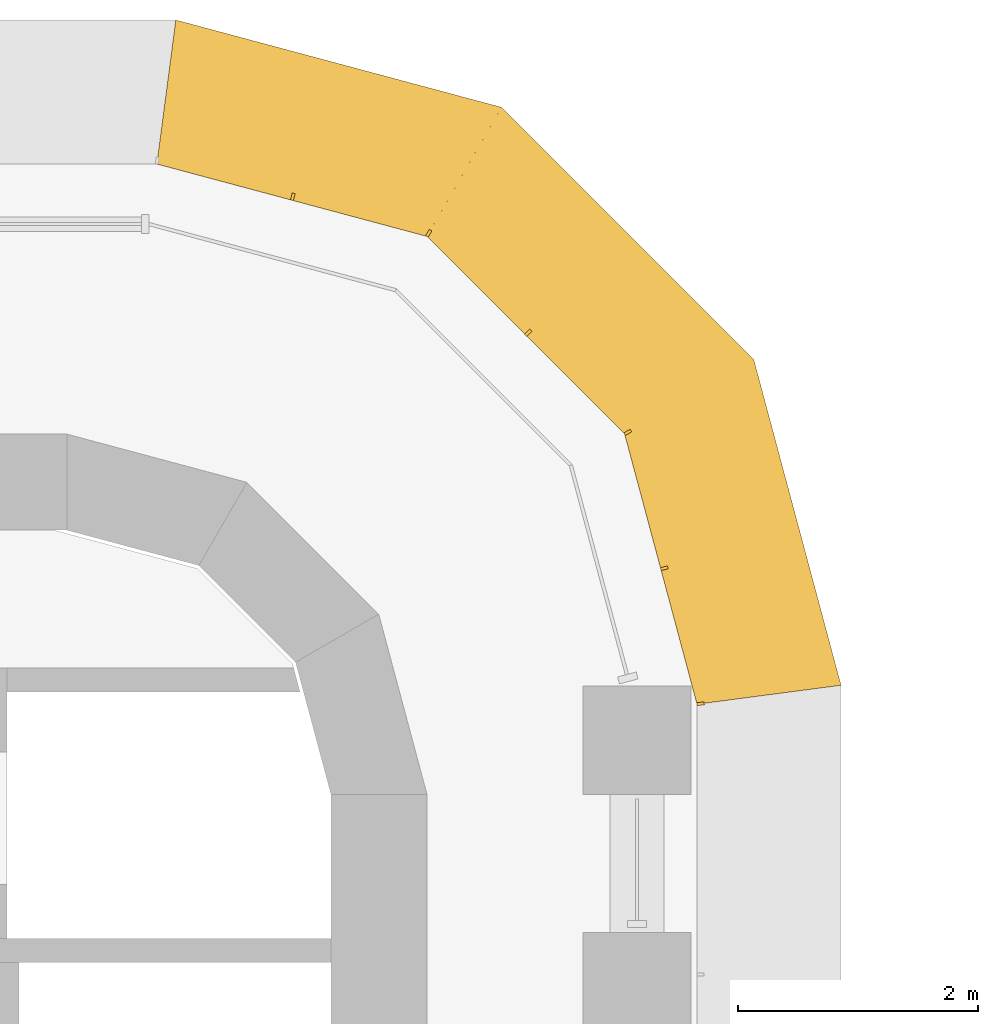
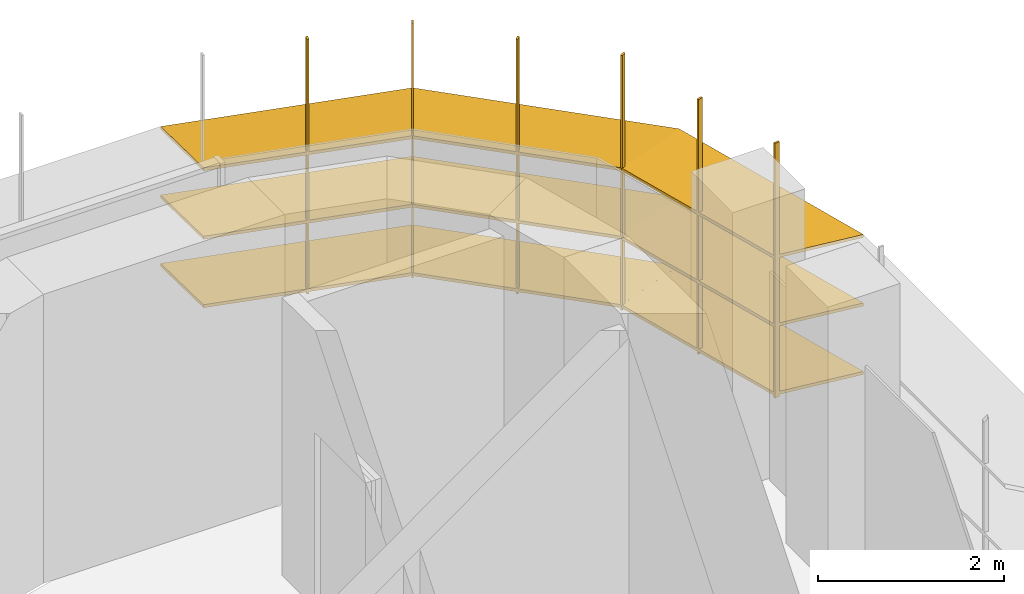
# One storey, part 22 of 22: 1 shading device.
"""IFC4 building model written with IfcOpenShell, lengths in metres."""

from ifc_helpers import new_model, si_unit, direction, frame, origin, place, context, subcontext, project, spatial, polyline, outline, extrude, faceted_brep, source, transform, mapped, material, type_object, element, save


model = new_model("IFC4")

# Units and contexts
model_context = context("Model", 3, precision=1e-05, world=origin(), true_north=direction((0.0, 1.0)))
body_context = subcontext(model_context, "Body", "Model", "MODEL_VIEW")
ifc_project = project(units=[si_unit("LENGTHUNIT", "METRE"), si_unit("AREAUNIT", "SQUARE_METRE"), si_unit("VOLUMEUNIT", "CUBIC_METRE"), si_unit("PLANEANGLEUNIT", "RADIAN"), si_unit("MASSUNIT", "GRAM", prefix="KILO")], contexts=[model_context])

# Site, building, storey
site_placement = place(None, origin())
site = spatial("IfcSite", under=ifc_project, at=site_placement, CompositionType="ELEMENT")
building_placement = place(site_placement, origin())
building = spatial("IfcBuilding", under=site, at=building_placement, Name="Zarbagh Exchange Tower", CompositionType="ELEMENT")
storey_placement = place(building_placement, frame((0.0, 0.0, 101.800048828125)))
storey = spatial("IfcBuildingStorey", under=building, at=storey_placement, Name="L23", CompositionType="ELEMENT", Elevation=101.800048828125)

# Shading device
ifc_material = material(Name="Anodised aluminium blades and brackets", Category="aluminium")
shading_device_type = type_object("IfcShadingDeviceType", Name="SUNSHADE louvre band, 11.25 degree blades", PredefinedType="JALOUSIE", material=ifc_material)
shared_shape_1 = source(origin(), body_context, "Body", "Brep", [
    faceted_brep([(0.0, 0.0, 0.0), (0.0, 0.0, -0.040771484375), (-0.157958984375, -1.199951171875, -0.279541015625), (-0.157958984375, -1.199951171875, -0.23876953125), (2.65087890625, -1.199951171875, -0.23876953125), (2.65087890625, -1.199951171875, -0.279541015625), (2.329345703125, 0.0, -0.040771484375), (2.329345703125, 0.0, 0.0)], [[[0, 1, 2, 3]], [[4, 5, 6, 7]], [[0, 7, 6, 1]], [[1, 6, 5, 2]], [[2, 5, 4, 3]], [[3, 4, 7, 0]]]),
])
shared_shape_2 = source(origin(), body_context, "Body", "Brep", [
    faceted_brep([(0.0, 0.0, 0.0), (0.0, 0.0, -0.040771484375), (-0.321533203125, -1.199951171875, -0.279541015625), (-0.321533203125, -1.199951171875, -0.23876953125), (2.65087890625, -1.199951171875, -0.23876953125), (2.65087890625, -1.199951171875, -0.279541015625), (2.329345703125, 0.0, -0.040771484375), (2.329345703125, 0.0, 0.0)], [[[0, 1, 2, 3]], [[4, 5, 6, 7]], [[0, 7, 6, 1]], [[1, 6, 5, 2]], [[2, 5, 4, 3]], [[3, 4, 7, 0]]]),
])
shared_shape_3 = source(origin(), body_context, "Body", "Brep", [
    faceted_brep([(0.0, 0.0, 0.0), (0.0, 0.0, -0.040771484375), (-0.321533203125, -1.199951171875, -0.279541015625), (-0.321533203125, -1.199951171875, -0.23876953125), (2.4873046875, -1.199951171875, -0.23876953125), (2.4873046875, -1.199951171875, -0.279541015625), (2.329345703125, 0.0, -0.040771484375), (2.329345703125, 0.0, 0.0)], [[[0, 1, 2, 3]], [[4, 5, 6, 7]], [[0, 7, 6, 1]], [[1, 6, 5, 2]], [[2, 5, 4, 3]], [[3, 4, 7, 0]]]),
])
shared_shape_4 = source(origin(), body_context, "Body", "SweptSolid", [
    extrude(outline(polyline([(0.0, -0.012451171875), (0.06005859375, -0.012451171875), (0.06005859375, 0.012451171875), (0.0, 0.012451171875), (0.0, -0.012451171875)])), origin(), (0.0, 0.0, 1.0), 3.350830078125),
])
shading_device_placement = place(storey_placement, origin())
element("IfcShadingDevice", 1, at=shading_device_placement, inside=storey, type_object=shading_device_type, Name="SS26 sunshade band", PredefinedType="JALOUSIE", context=body_context, shape_type="MappedRepresentation", body=[
    mapped(shared_shape_1, transform((6.75, 27.0, 2.300048828125), x_axis=(-0.258824779902, 0.965924289636, 0.0), y_axis=(-0.965924289636, -0.258824779902, 0.0), z_axis=(0.0, 0.0, 1.0))),
    mapped(shared_shape_1, transform((6.75, 27.0, 1.39990234375), x_axis=(-0.258824779902, 0.965924289636, 0.0), y_axis=(-0.965924289636, -0.258824779902, 0.0), z_axis=(0.0, 0.0, 1.0))),
    mapped(shared_shape_1, transform((6.75, 27.0, 0.5), x_axis=(-0.258824779902, 0.965924289636, 0.0), y_axis=(-0.965924289636, -0.258824779902, 0.0), z_axis=(0.0, 0.0, 1.0))),
    mapped(shared_shape_2, transform((6.147216796875, 29.25, 2.300048828125), x_axis=(-0.707106781187, 0.707106781187, 0.0), y_axis=(-0.707106781187, -0.707106781187, 0.0), z_axis=(0.0, 0.0, 1.0))),
    mapped(shared_shape_2, transform((6.147216796875, 29.25, 1.39990234375), x_axis=(-0.707106781187, 0.707106781187, 0.0), y_axis=(-0.707106781187, -0.707106781187, 0.0), z_axis=(0.0, 0.0, 1.0))),
    mapped(shared_shape_2, transform((6.147216796875, 29.25, 0.5), x_axis=(-0.707106781187, 0.707106781187, 0.0), y_axis=(-0.707106781187, -0.707106781187, 0.0), z_axis=(0.0, 0.0, 1.0))),
    mapped(shared_shape_3, transform((4.5, 30.897216796875, 2.300048828125), x_axis=(-0.965924289636, 0.258824779902, 0.0), y_axis=(-0.258824779902, -0.965924289636, 0.0), z_axis=(0.0, 0.0, 1.0))),
    mapped(shared_shape_3, transform((4.5, 30.897216796875, 1.39990234375), x_axis=(-0.965924289636, 0.258824779902, 0.0), y_axis=(-0.258824779902, -0.965924289636, 0.0), z_axis=(0.0, 0.0, 1.0))),
    mapped(shared_shape_3, transform((4.5, 30.897216796875, 0.5), x_axis=(-0.965924289636, 0.258824779902, 0.0), y_axis=(-0.258824779902, -0.965924289636, 0.0), z_axis=(0.0, 0.0, 1.0))),
    mapped(shared_shape_4, transform((6.75, 27.0, 0.42919921875), x_axis=(0.991444457092, 0.130529263012, 0.0), y_axis=(-0.130529263012, 0.991444457092, 0.0), z_axis=(0.0, 0.0, 1.0))),
    mapped(shared_shape_4, transform((6.448486328125, 28.125, 0.42919921875), x_axis=(0.96592421511, 0.258825058029, 0.0), y_axis=(-0.258825058029, 0.96592421511, 0.0), z_axis=(0.0, 0.0, 1.0))),
    mapped(shared_shape_4, transform((6.147216796875, 29.25, 0.42919921875), x_axis=(0.866023812018, 0.50000275701, 0.0), y_axis=(-0.50000275701, 0.866023812018, 0.0), z_axis=(0.0, 0.0, 1.0))),
    mapped(shared_shape_4, transform((5.323486328125, 30.073486328125, 0.42919921875), x_axis=(0.707106781187, 0.707106781187, 0.0), y_axis=(-0.707106781187, 0.707106781187, 0.0), z_axis=(0.0, 0.0, 1.0))),
    mapped(shared_shape_4, transform((4.5, 30.897216796875, 0.42919921875), x_axis=(0.50000275701, 0.866023812018, 0.0), y_axis=(-0.866023812018, 0.50000275701, 0.0), z_axis=(0.0, 0.0, 1.0))),
    mapped(shared_shape_4, transform((3.375, 31.198486328125, 0.42919921875), x_axis=(0.258825058029, 0.96592421511, 0.0), y_axis=(-0.96592421511, 0.258825058029, 0.0), z_axis=(0.0, 0.0, 1.0))),
])

save(model, "model.ifc")
